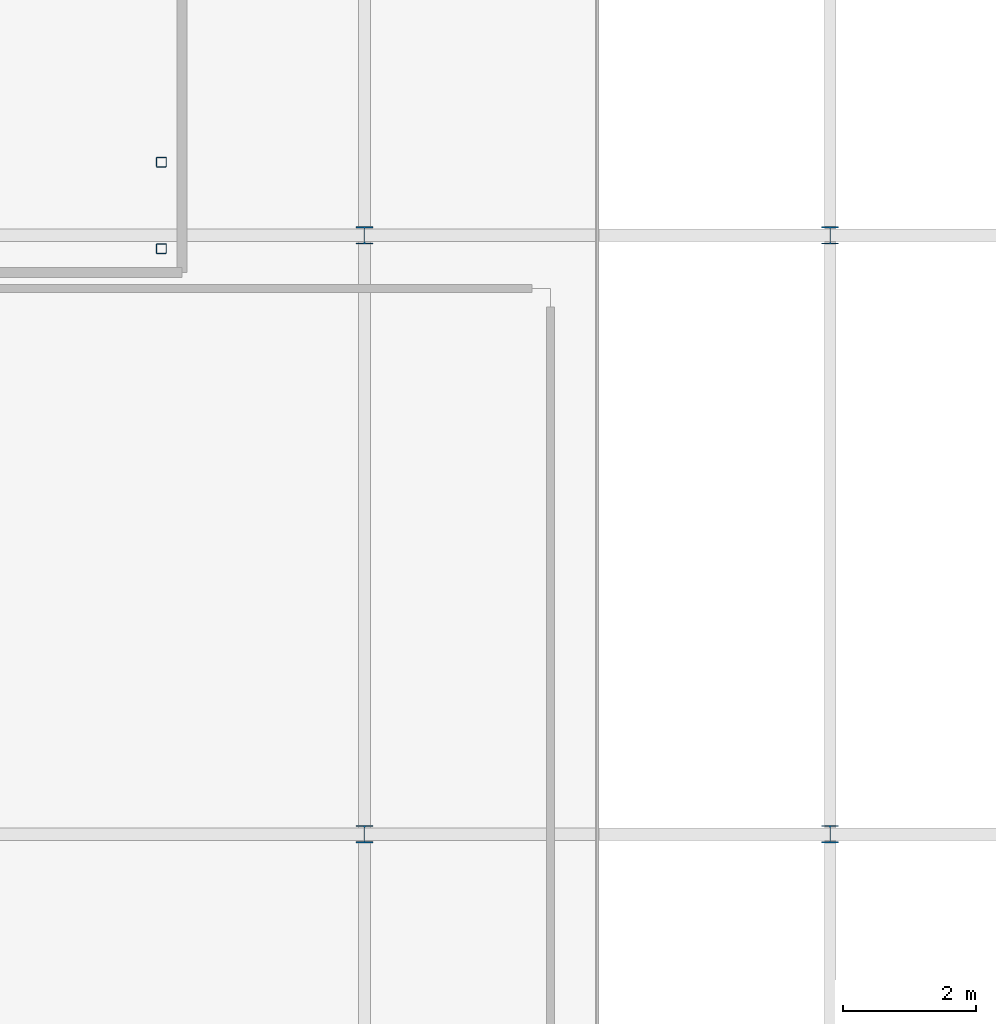
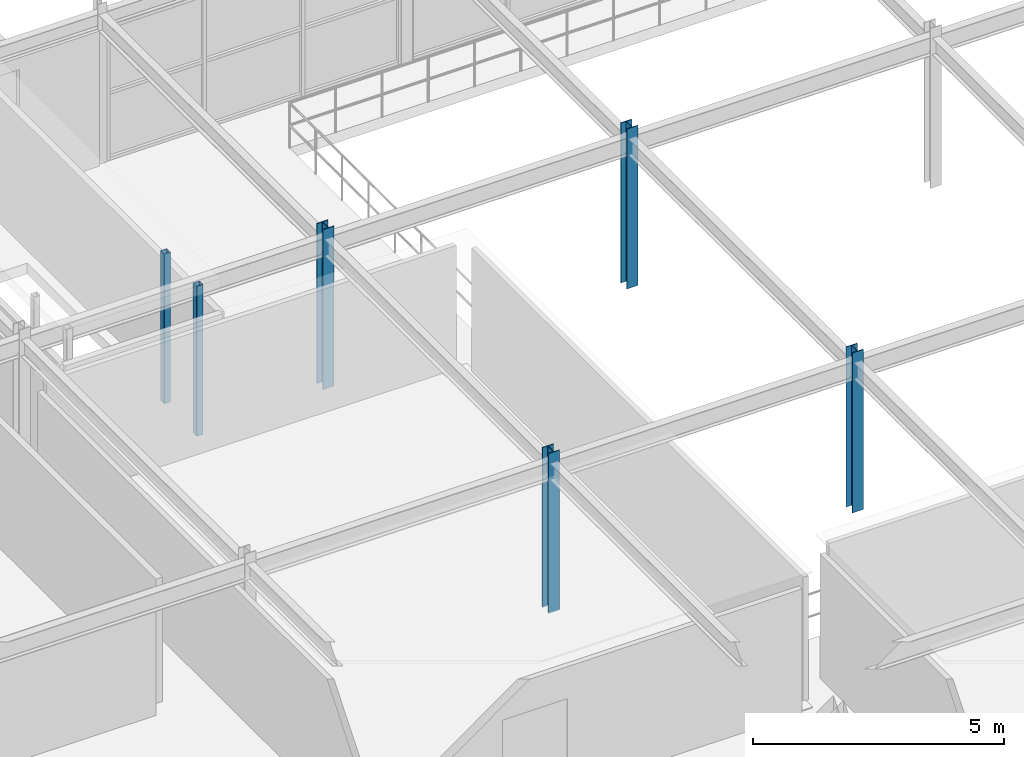
# One storey, part 4 of 98: 6 columns.
"""IFC4 building model written with IfcOpenShell, lengths in metres."""

from ifc_helpers import new_model, si_unit, derived_unit, direction, frame, origin, origin_2d_with_axis, place, context, subcontext, project, spatial, hollow_rectangle, i_section, extrude, material, material_profile, profile_set, type_object, element, save


model = new_model("IFC4")

# Units and contexts
model_context = context("Model", 3, precision=1e-05, world=origin(), true_north=direction((0.0, 1.0)))
body_context = subcontext(model_context, "Body", "Model", "MODEL_VIEW")
ifc_project = project(units=[si_unit("LENGTHUNIT", "METRE"), si_unit("AREAUNIT", "SQUARE_METRE"), si_unit("VOLUMEUNIT", "CUBIC_METRE"), si_unit("PLANEANGLEUNIT", "RADIAN"), si_unit("MASSUNIT", "GRAM", prefix="KILO"), derived_unit("THERMALTRANSMITTANCEUNIT", [(si_unit("POWERUNIT", "WATT"), 1), (si_unit("LENGTHUNIT", "METRE"), -2), (si_unit("THERMODYNAMICTEMPERATUREUNIT", "KELVIN"), -1)])], contexts=[model_context])

# Site, building, storey
site_placement = place(None, origin())
site = spatial("IfcSite", under=ifc_project, at=site_placement, CompositionType="ELEMENT")
building_placement = place(site_placement, origin())
building = spatial("IfcBuilding", under=site, at=building_placement, Name="Cinnabar Yard Market Hall", CompositionType="ELEMENT")
storey_placement = place(building_placement, frame((0.0, 0.0, 4.5)))
storey = spatial("IfcBuildingStorey", under=building, at=storey_placement, Name="L01", CompositionType="ELEMENT", Elevation=4.5)

# Columns
ifc_material_1 = material(Name="Steel Grade 300 (300 MPa)", Category="steel")
ifc_material_profile_1 = material_profile(ifc_material_1, i_section(OverallWidth=0.256103515625, OverallDepth=0.260009765625, WebThickness=0.010498046875, FlangeThickness=0.017333984375, FilletRadius=0.013916015625, at=origin_2d_with_axis()), Name="250UC89.5")
ifc_profile_set_1 = profile_set([ifc_material_profile_1], Name="Steel Grade 300 (300 MPa)")
column_type_1 = type_object("IfcColumnType", Name="COL-C10", PredefinedType="COLUMN", material=ifc_profile_set_1)
for number, where, z_axis, x_axis, name in (
    (1, (31.0, 66.0, 0.0), (0.0, 0.0, 1.0), (1.0, 0.0, 0.0), "Pavilion Column V2-04-03 L01"),
    (2, (31.0, 75.0, 0.0), (0.0, 0.0, 1.0), (1.0, 0.0, 0.0), "Pavilion Column V2-04-04 L01"),
    (3, (38.0, 66.0, 0.0), (0.0, 0.0, 1.0), (1.0, 0.0, 0.0), "Pavilion Column V2-05-03 L01"),
    (4, (38.0, 75.0, 0.0), (0.0, 0.0, 1.0), (1.0, 0.0, 0.0), "Pavilion Column V2-05-04 L01"),
):
    element("IfcColumn", number, at=place(storey_placement, frame(where, z_axis=z_axis, x_axis=x_axis)), inside=storey, type_object=column_type_1, Name=name, PredefinedType="COLUMN", context=body_context, shape_type="SweptSolid", body=[
        extrude(i_section(OverallWidth=0.256103515625, OverallDepth=0.260009765625, WebThickness=0.010498046875, FlangeThickness=0.017333984375, FilletRadius=0.013916015625, at=origin_2d_with_axis()), origin(), (0.0, 0.0, 1.0), 3.89990234375),
    ])
ifc_material_2 = material(Name="Cold-formed steel C350L0", Category="steel")
ifc_material_profile_2 = material_profile(ifc_material_2, hollow_rectangle(XDim=0.14990234375, YDim=0.14990234375, WallThickness=0.006103515625, InnerFilletRadius=0.006103515625, OuterFilletRadius=0.011962890625, at=origin_2d_with_axis()), Name="150x150x6.0SHS")
ifc_profile_set_2 = profile_set([ifc_material_profile_2], Name="Cold-formed steel C350L0")
column_type_2 = type_object("IfcColumnType", Name="COL-C16", PredefinedType="COLUMN", material=ifc_profile_set_2)
for number, where, z_axis, x_axis, name in (
    (5, (27.949951171875, 74.800048828125, 0.0), (0.0, 0.0, 1.0), (1.0, 0.0, 0.0), "Feature Stair Cap Post ST-F3-2"),
    (6, (27.949951171875, 76.10009765625, 0.0), (0.0, 0.0, 1.0), (1.0, 0.0, 0.0), "Feature Stair Cap Post ST-F3-4"),
):
    element("IfcColumn", number, at=place(storey_placement, frame(where, z_axis=z_axis, x_axis=x_axis)), inside=storey, type_object=column_type_2, Name=name, PredefinedType="COLUMN", context=body_context, shape_type="SweptSolid", body=[
        extrude(hollow_rectangle(XDim=0.14990234375, YDim=0.14990234375, WallThickness=0.006103515625, InnerFilletRadius=0.006103515625, OuterFilletRadius=0.011962890625, at=origin_2d_with_axis()), origin(), (0.0, 0.0, 1.0), 3.64990234375),
    ])

save(model, "model.ifc")
